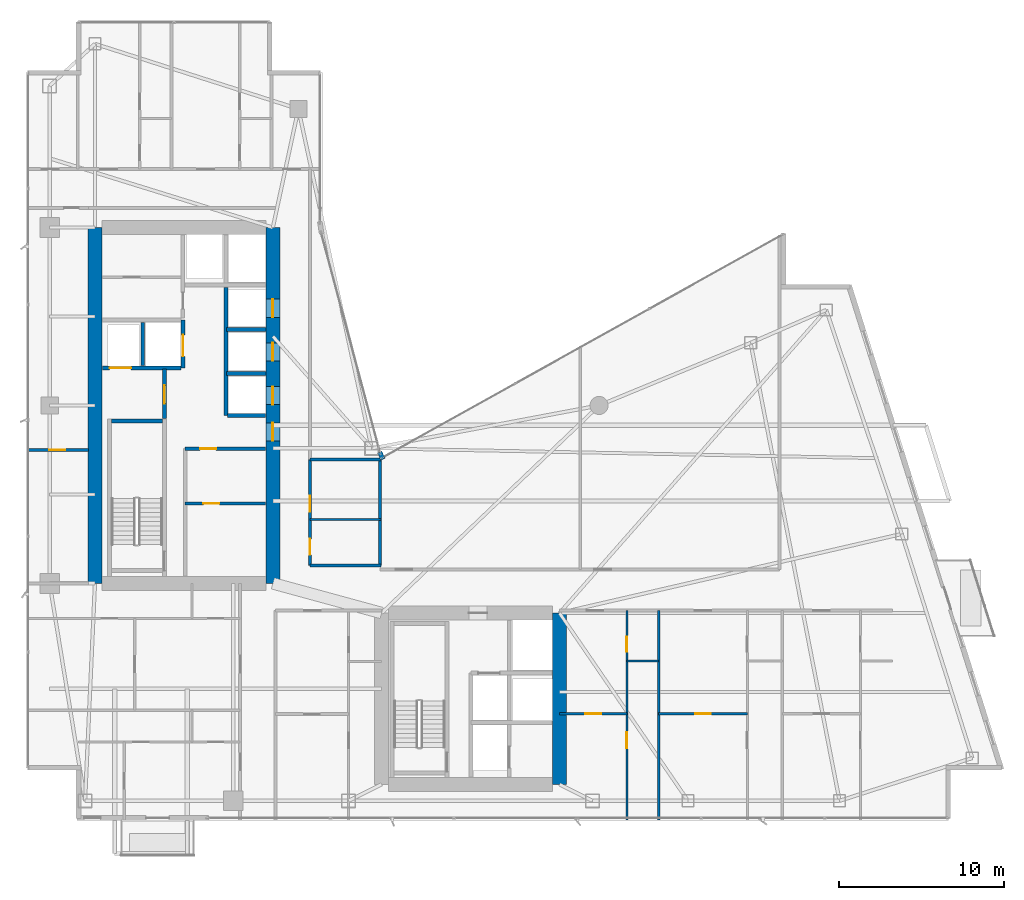
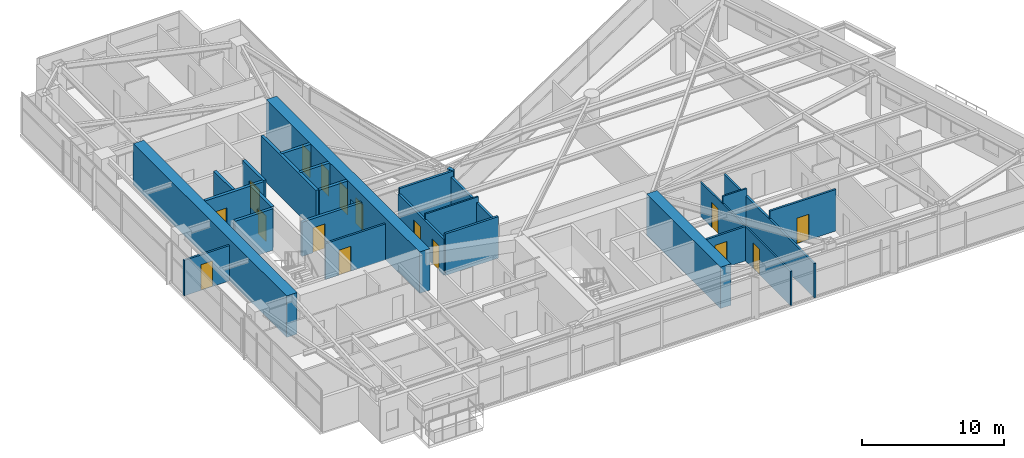
# One storey, part 23 of 28: 26 walls, 16 doors, 16 openings.
"""IFC4 building model written with IfcOpenShell, lengths in metres."""

import ifcopenshell
import ifcopenshell.guid

model = None  # the IFC model being written
_history = None  # IfcOwnerHistory: only IFC2X3 demands one
_inside = {}  # id of a spatial element -> (the spatial element, [elements in it])
_under = {}  # id of a project, library or spatial element -> (it, [spatial elements below it])
_declared = {}  # id of a project -> (the project, [libraries it declares])
_typed = {}  # id of a type object -> (the type object, [elements of that type])
_made_of = {}  # id of a material, layer set ... -> (it, [elements and type objects made of it])


def new_model(schema):
    """Start an empty IFC model of exactly this schema.

    Asked for "IFC4X3", IfcOpenShell would pick the latest addendum, in which some entities
    have other attributes; the version numbers below select the first issue.
    IFC2X3 requires an IfcOwnerHistory on every rooted entity: one is made here for all.
    """
    global model, _history
    if schema == "IFC4X3":
        model = ifcopenshell.file(schema_version=(4, 3, 0, 0))
    else:
        model = ifcopenshell.file(schema=schema)
    _inside.clear()
    _under.clear()
    _declared.clear()
    _typed.clear()
    _made_of.clear()
    _history = None
    if model.schema == "IFC2X3":
        org = make("IfcOrganization", Name="unknown")
        user = make(
            "IfcPersonAndOrganization",
            ThePerson=make("IfcPerson", FamilyName="unknown"),
            TheOrganization=org,
        )
        app = make(
            "IfcApplication",
            ApplicationDeveloper=org,
            Version="unknown",
            ApplicationFullName="unknown",
            ApplicationIdentifier="unknown",
        )
        _history = make(
            "IfcOwnerHistory",
            OwningUser=user,
            OwningApplication=app,
            ChangeAction="ADDED",
            CreationDate=0,
        )
    return model


def make(cls, **values):
    """One entity of the class cls with the attributes given. An attribute that is None is left unset."""
    return model.create_entity(
        cls, **{name: value for name, value in values.items() if value is not None}
    )


def rooted(cls, **values):
    """An entity with a GlobalId (a new one), such as an element, a storey or a relation."""
    return make(cls, GlobalId=ifcopenshell.guid.new(), OwnerHistory=_history, **values)


def si_unit(unit_type, name, prefix=None):
    """IfcSIUnit, for example si_unit("LENGTHUNIT", "METRE", prefix="MILLI")."""
    return make("IfcSIUnit", UnitType=unit_type, Prefix=prefix, Name=name)


def assignment(units):
    """IfcUnitAssignment: the units of a project."""
    return None if units is None else make("IfcUnitAssignment", Units=units)


def point(xyz):
    """IfcCartesianPoint."""
    return None if xyz is None else make("IfcCartesianPoint", Coordinates=xyz)


def direction(xyz):
    """IfcDirection."""
    return None if xyz is None else make("IfcDirection", DirectionRatios=xyz)


def frame(location, z_axis=None, x_axis=None):
    """IfcAxis2Placement3D, a coordinate frame: its origin and axes. An axis left out is left unset."""
    return make(
        "IfcAxis2Placement3D",
        Location=point(location),
        Axis=direction(z_axis),
        RefDirection=direction(x_axis),
    )


def frame_2d(location, x_axis=None):
    """IfcAxis2Placement2D, a coordinate frame in the plane: its origin and x axis."""
    return make(
        "IfcAxis2Placement2D", Location=point(location), RefDirection=direction(x_axis)
    )


def origin():
    """The frame at (0, 0, 0) with its axes left unset."""
    return frame((0.0, 0.0, 0.0))


def place(relative_to, where):
    """IfcLocalPlacement: puts the frame where relative to a parent placement (None: the world)."""
    return make(
        "IfcLocalPlacement", PlacementRelTo=relative_to, RelativePlacement=where
    )


def context(
    kind, dimensions, precision=None, world=None, true_north=None, identifier=None
):
    """IfcGeometricRepresentationContext, for example the 3D "Model" context."""
    return make(
        "IfcGeometricRepresentationContext",
        ContextIdentifier=identifier,
        ContextType=kind,
        CoordinateSpaceDimension=dimensions,
        Precision=precision,
        WorldCoordinateSystem=world,
        TrueNorth=true_north,
    )


def subcontext(parent, identifier, kind, view, scale=None):
    """IfcGeometricRepresentationSubContext, for example "Body" below "Model"."""
    return make(
        "IfcGeometricRepresentationSubContext",
        ContextIdentifier=identifier,
        ContextType=kind,
        ParentContext=parent,
        TargetScale=scale,
        TargetView=view,
    )


def project(units=None, contexts=None):
    """IfcProject with its units and contexts."""
    return rooted(
        "IfcProject",
        Name="project",
        RepresentationContexts=contexts,
        UnitsInContext=assignment(units),
    )


def spatial(cls, under=None, at=None, **own):
    """A site, building, storey or space (cls), placed at a placement, below another one or the project."""
    s = rooted(cls, ObjectPlacement=at, **own)
    if under is not None:
        _under.setdefault(under.id(), (under, []))[1].append(s)
    return s


def profile(cls, at=None, kind="AREA", **sizes):
    """A parametric profile (cls). Its sizes go by their IFC names, for example OverallWidth=200.0."""
    return make(cls, ProfileType=kind, Position=at, **sizes)


def rectangle(**sizes):
    """IfcRectangleProfileDef."""
    return profile("IfcRectangleProfileDef", **sizes)


def extrude(swept, where, along, depth):
    """IfcExtrudedAreaSolid: the profile swept, set in the frame where, extruded along a direction by depth."""
    return make(
        "IfcExtrudedAreaSolid",
        SweptArea=swept,
        Position=where,
        ExtrudedDirection=direction(along),
        Depth=depth,
    )


def shape(context_of_items, identifier, shape_type, items):
    """IfcShapeRepresentation: the items that make up one representation, for example the "Body"."""
    return make(
        "IfcShapeRepresentation",
        ContextOfItems=context_of_items,
        RepresentationIdentifier=identifier,
        RepresentationType=shape_type,
        Items=items,
    )


def material(Name=None, Category=None):
    """IfcMaterial."""
    return make("IfcMaterial", Name=Name, Category=Category)


def layer(
    of_material, thickness, ventilated=None, Name=None, Category=None, Priority=None
):
    """IfcMaterialLayer: one layer of a wall or slab, of a material (None: an air gap)."""
    return make(
        "IfcMaterialLayer",
        Material=of_material,
        LayerThickness=thickness,
        IsVentilated=ventilated,
        Name=Name,
        Category=Category,
        Priority=Priority,
    )


def layer_set(layers, Name=None):
    """IfcMaterialLayerSet."""
    return make("IfcMaterialLayerSet", MaterialLayers=layers, LayerSetName=Name)


def made_of(thing, what):
    """Note that an element or type object is made of a material, layer set ...; save() writes the relation."""
    if what is not None:
        _made_of.setdefault(what.id(), (what, []))[1].append(thing)
    return thing


def type_object(cls, material=None, **own):
    """A type object (cls), such as IfcWallType, which elements share."""
    return made_of(rooted(cls, **own), material)


def element(
    cls,
    number,
    at=None,
    inside=None,
    cuts=None,
    type_object=None,
    material=None,
    context=None,
    identifier="Body",
    shape_type=None,
    held_by="IfcProductDefinitionShape",
    body=None,
    shapes=None,
    **own,
):
    """One element of the class cls, such as IfcWall. Its Tag is "e" and its number.

    at: its placement. inside: the storey or other place that contains it. cuts: it is an
    opening in that element (IfcRelVoidsElement). A single representation is given by context,
    identifier, shape_type and body (its items); several are given by shapes. held_by: the class
    of the entity that holds the representations. save() writes the other relations.
    """
    e = rooted(cls, Tag="e%d" % number, ObjectPlacement=at, **own)
    if body is not None:
        shapes = [shape(context, identifier, shape_type, body)]
    if shapes is not None:
        e.Representation = make(held_by, Representations=shapes)
    if inside is not None:
        _inside.setdefault(inside.id(), (inside, []))[1].append(e)
    if cuts is not None:
        rooted(
            "IfcRelVoidsElement", RelatingBuildingElement=cuts, RelatedOpeningElement=e
        )
    if type_object is not None:
        _typed.setdefault(type_object.id(), (type_object, []))[1].append(e)
    return made_of(e, material)


def fill(opening, filler):
    """IfcRelFillsElement: the door or window that sits in an opening."""
    return rooted(
        "IfcRelFillsElement",
        RelatingOpeningElement=opening,
        RelatedBuildingElement=filler,
    )


def aggregate(whole, parts):
    """IfcRelAggregates: a whole, such as a stair, and the parts it consists of."""
    return rooted("IfcRelAggregates", RelatingObject=whole, RelatedObjects=parts)


def save(model, path):
    """Write the relations noted so far, then the file.

    IfcRelAggregates (storeys below a building ...), IfcRelContainedInSpatialStructure (elements
    in a storey), IfcRelDefinesByType, IfcRelAssociatesMaterial and IfcRelDeclares: one each for
    every whole, place, type object, material and project.
    """
    for whole, parts in _under.values():
        aggregate(whole, parts)
    for where, things in _inside.values():
        rooted(
            "IfcRelContainedInSpatialStructure",
            RelatedElements=things,
            RelatingStructure=where,
        )
    for kind, things in _typed.values():
        rooted("IfcRelDefinesByType", RelatedObjects=things, RelatingType=kind)
    for what, things in _made_of.values():
        rooted("IfcRelAssociatesMaterial", RelatedObjects=things, RelatingMaterial=what)
    for by, libraries in _declared.values():
        rooted("IfcRelDeclares", RelatingContext=by, RelatedDefinitions=libraries)
    model.write(path)


model = new_model("IFC4")

# Units and contexts
model_context = context("Model", 3, precision=1e-05, world=origin(), true_north=direction((0.0, 1.0)))
body_context = subcontext(model_context, "Body", "Model", "MODEL_VIEW")
ifc_project = project(units=[si_unit("LENGTHUNIT", "METRE"), si_unit("AREAUNIT", "SQUARE_METRE"), si_unit("VOLUMEUNIT", "CUBIC_METRE"), si_unit("PLANEANGLEUNIT", "RADIAN"), si_unit("MASSUNIT", "GRAM", prefix="KILO")], contexts=[model_context])

# Site, building, storey
site_placement = place(None, origin())
site = spatial("IfcSite", under=ifc_project, at=site_placement, CompositionType="ELEMENT")
building_placement = place(site_placement, origin())
building = spatial("IfcBuilding", under=site, at=building_placement, Name="Calvorn Quay Hotel", CompositionType="ELEMENT")
storey_placement = place(building_placement, frame((0.0, 0.0, 156.10009765625)))
storey = spatial("IfcBuildingStorey", under=building, at=storey_placement, Name="L38", CompositionType="ELEMENT", Elevation=156.10009765625)

# Wall
ifc_material_1 = material(Name="Concrete C50", Category="concrete")
ifc_layer_1 = layer(ifc_material_1, 0.85009765625)
ifc_layer_set_1 = layer_set([ifc_layer_1], Name="WL-CORE-850")
wall_type_1 = type_object("IfcWallType", Name="WL-CORE-850", PredefinedType="SHEAR", material=ifc_layer_set_1)
wall_1_placement = place(storey_placement, frame((4.199951171875, 16.800048828125, 0.0), z_axis=(0.0, 0.0, 1.0), x_axis=(0.0, 1.0, 0.0)))
element("IfcWall", 1, at=wall_1_placement, inside=storey, type_object=wall_type_1, Name="West Core Shear Wall W (L38)", PredefinedType="SHEAR", context=body_context, shape_type="SweptSolid", body=[
    extrude(rectangle(XDim=21.599853515625, YDim=0.85009765625, at=frame_2d((10.7998046875, 0.0))), origin(), (0.0, 0.0, 1.0), 3.559814453125),
])

# Wall, openings, doors
wall_2_placement = place(storey_placement, frame((15.0, 16.800048828125, 0.0), z_axis=(0.0, 0.0, 1.0), x_axis=(0.0, 1.0, 0.0)))
wall_2 = element("IfcWall", 2, at=wall_2_placement, inside=storey, type_object=wall_type_1, Name="West Core Shear Wall E (L38)", PredefinedType="SHEAR", context=body_context, shape_type="SweptSolid", body=[
    extrude(rectangle(XDim=21.599853515625, YDim=0.85009765625, at=frame_2d((10.7998046875, 0.0))), origin(), (0.0, 0.0, 1.0), 3.559814453125),
])
opening_1_placement = place(wall_2_placement, frame((8.64990234375, 0.0, 0.0)))
opening_1 = element("IfcOpeningElement", 3, at=opening_1_placement, cuts=wall_2, Name="Opening D-L38-CW1", PredefinedType="OPENING", context=body_context, shape_type="SweptSolid", body=[
    extrude(rectangle(XDim=1.10009765625, YDim=2.199951171875, at=frame_2d((0.550048828125, 1.10009765625))), frame((0.0, 0.43505859375, 0.0), z_axis=(0.0, -1.0, 0.0), x_axis=(1.0, 0.0, 0.0)), (0.0, 0.0, 1.0), 0.8701171875),
])
opening_2_placement = place(wall_2_placement, frame((10.85009765625, 0.0, 0.0)))
opening_2 = element("IfcOpeningElement", 4, at=opening_2_placement, cuts=wall_2, Name="Opening LD-L38-M1", PredefinedType="OPENING", context=body_context, shape_type="SweptSolid", body=[
    extrude(rectangle(XDim=1.10009765625, YDim=2.199951171875, at=frame_2d((0.550048828125, 1.10009765625))), frame((0.0, 0.43505859375, 0.0), z_axis=(0.0, -1.0, 0.0), x_axis=(1.0, 0.0, 0.0)), (0.0, 0.0, 1.0), 0.8701171875),
])
opening_3_placement = place(wall_2_placement, frame((13.5, 0.0, 0.0)))
opening_3 = element("IfcOpeningElement", 5, at=opening_3_placement, cuts=wall_2, Name="Opening LD-L38-M2", PredefinedType="OPENING", context=body_context, shape_type="SweptSolid", body=[
    extrude(rectangle(XDim=1.10009765625, YDim=2.199951171875, at=frame_2d((0.550048828125, 1.10009765625))), frame((0.0, 0.43505859375, 0.0), z_axis=(0.0, -1.0, 0.0), x_axis=(1.0, 0.0, 0.0)), (0.0, 0.0, 1.0), 0.8701171875),
])
opening_4_placement = place(wall_2_placement, frame((16.14990234375, 0.0, 0.0)))
opening_4 = element("IfcOpeningElement", 6, at=opening_4_placement, cuts=wall_2, Name="Opening LD-L38-M3", PredefinedType="OPENING", context=body_context, shape_type="SweptSolid", body=[
    extrude(rectangle(XDim=1.10009765625, YDim=2.199951171875, at=frame_2d((0.550048828125, 1.10009765625))), frame((0.0, 0.43505859375, 0.0), z_axis=(0.0, -1.0, 0.0), x_axis=(1.0, 0.0, 0.0)), (0.0, 0.0, 1.0), 0.8701171875),
])
ifc_material_2 = material(Name="Smoke-Sealed Steel Class A Fire Door", Category="steel")
door_type_1 = type_object("IfcDoorType", Name="DR-FFLOBBY-1100", OperationType="NOTDEFINED", PredefinedType="DOOR", material=ifc_material_2)
door_1_placement = place(opening_1_placement, origin())
door_1 = element("IfcDoor", 7, at=door_1_placement, inside=storey, type_object=door_type_1, Name="West Core Vestibule Fire Door (L38)", OperationType="SINGLE_SWING_LEFT", OverallHeight=2.199951171875, OverallWidth=1.10009765625, PredefinedType="DOOR", context=body_context, shape_type="SweptSolid", body=[
    extrude(rectangle(XDim=1.10009765625, YDim=2.199951171875, at=frame_2d((0.550048828125, 1.10009765625))), frame((0.0, 0.02490234375, 0.0), z_axis=(0.0, -1.0, 0.0), x_axis=(1.0, 0.0, 0.0)), (0.0, 0.0, 1.0), 0.050048828125),
])
fill(opening_1, door_1)
ifc_material_3 = material(Name="Brushed Stainless Steel Sliding Lift Landing Door", Category="steel")
door_type_2 = type_object("IfcDoorType", Name="DR-LIFT-PASS-1100", OperationType="NOTDEFINED", PredefinedType="DOOR", material=ifc_material_3)
door_2_placement = place(opening_2_placement, origin())
door_2 = element("IfcDoor", 8, at=door_2_placement, inside=storey, type_object=door_type_2, Name="Mid-Rise Lift PL-M1 Landing Door (L38)", OperationType="DOUBLE_DOOR_SLIDING", OverallHeight=2.199951171875, OverallWidth=1.10009765625, PredefinedType="DOOR", context=body_context, shape_type="SweptSolid", body=[
    extrude(rectangle(XDim=1.10009765625, YDim=2.199951171875, at=frame_2d((0.550048828125, 1.10009765625))), frame((0.0, 0.02490234375, 0.0), z_axis=(0.0, -1.0, 0.0), x_axis=(1.0, 0.0, 0.0)), (0.0, 0.0, 1.0), 0.050048828125),
])
fill(opening_2, door_2)
door_3_placement = place(opening_3_placement, origin())
door_3 = element("IfcDoor", 9, at=door_3_placement, inside=storey, type_object=door_type_2, Name="Mid-Rise Lift PL-M2 Landing Door (L38)", OperationType="DOUBLE_DOOR_SLIDING", OverallHeight=2.199951171875, OverallWidth=1.10009765625, PredefinedType="DOOR", context=body_context, shape_type="SweptSolid", body=[
    extrude(rectangle(XDim=1.10009765625, YDim=2.199951171875, at=frame_2d((0.550048828125, 1.10009765625))), frame((0.0, 0.02490234375, 0.0), z_axis=(0.0, -1.0, 0.0), x_axis=(1.0, 0.0, 0.0)), (0.0, 0.0, 1.0), 0.050048828125),
])
fill(opening_3, door_3)
door_4_placement = place(opening_4_placement, origin())
door_4 = element("IfcDoor", 10, at=door_4_placement, inside=storey, type_object=door_type_2, Name="Mid-Rise Lift PL-M3 Landing Door (L38)", OperationType="DOUBLE_DOOR_SLIDING", OverallHeight=2.199951171875, OverallWidth=1.10009765625, PredefinedType="DOOR", context=body_context, shape_type="SweptSolid", body=[
    extrude(rectangle(XDim=1.10009765625, YDim=2.199951171875, at=frame_2d((0.550048828125, 1.10009765625))), frame((0.0, 0.02490234375, 0.0), z_axis=(0.0, -1.0, 0.0), x_axis=(1.0, 0.0, 0.0)), (0.0, 0.0, 1.0), 0.050048828125),
])
fill(opening_4, door_4)

# Walls
wall_3_placement = place(storey_placement, frame((32.39990234375, 4.60009765625, 0.0), z_axis=(0.0, 0.0, 1.0), x_axis=(0.0, 1.0, 0.0)))
element("IfcWall", 11, at=wall_3_placement, inside=storey, type_object=wall_type_1, Name="East Core Shear Wall E (L38)", PredefinedType="SHEAR", context=body_context, shape_type="SweptSolid", body=[
    extrude(rectangle(XDim=10.39990234375, YDim=0.85009765625, at=frame_2d((5.199951171875, 0.0))), origin(), (0.0, 0.0, 1.0), 3.559814453125),
])
ifc_material_4 = material(Name="Acoustic Fireboard Steel-Stud Partition", Category="steel")
ifc_layer_2 = layer(ifc_material_4, 0.179931640625)
ifc_layer_set_2 = layer_set([ifc_layer_2], Name="WL-CORR-FIRE-180")
wall_type_2 = type_object("IfcWallType", Name="WL-CORR-FIRE-180", PredefinedType="PARTITIONING", material=ifc_layer_set_2)
wall_4_placement = place(storey_placement, frame((17.25, 17.8798828125, 0.0), z_axis=(0.0, 0.0, 1.0), x_axis=(1.0, 0.0, 0.0)))
element("IfcWall", 12, at=wall_4_placement, inside=storey, type_object=wall_type_2, Name="Partition Wall L38-WL-HK-S", PredefinedType="PARTITIONING", context=body_context, shape_type="SweptSolid", body=[
    extrude(rectangle(XDim=4.300048828125, YDim=0.179931640625, at=frame_2d((2.14990234375, 0.0))), origin(), (0.0, 0.0, 1.0), 3.559814453125),
])
wall_5_placement = place(storey_placement, frame((17.25, 24.320068359375, 0.0), z_axis=(0.0, 0.0, 1.0), x_axis=(1.0, 0.0, 0.0)))
element("IfcWall", 13, at=wall_5_placement, inside=storey, type_object=wall_type_2, Name="Partition Wall L38-WL-HK-N", PredefinedType="PARTITIONING", context=body_context, shape_type="SweptSolid", body=[
    extrude(rectangle(XDim=4.35009765625, YDim=0.179931640625, at=frame_2d((2.175048828125, 0.0))), origin(), (0.0, 0.0, 1.0), 3.559814453125),
])
wall_6_placement = place(storey_placement, frame((21.5, 17.8798828125, 0.0), z_axis=(0.0, 0.0, 1.0), x_axis=(0.0, 1.0, 0.0)))
element("IfcWall", 14, at=wall_6_placement, inside=storey, type_object=wall_type_2, Name="Partition Wall L38-WL-HK-E", PredefinedType="PARTITIONING", context=body_context, shape_type="SweptSolid", body=[
    extrude(rectangle(XDim=6.440185546875, YDim=0.179931640625, at=frame_2d((3.22021484375, 0.0))), origin(), (0.0, 0.0, 1.0), 3.08984375),
])

# Wall, openings, doors
wall_7_placement = place(storey_placement, frame((17.25, 17.8798828125, 0.0), z_axis=(0.0, 0.0, 1.0), x_axis=(0.0, 1.0, 0.0)))
wall_7 = element("IfcWall", 15, at=wall_7_placement, inside=storey, type_object=wall_type_2, Name="Partition Wall L38-WL-HK-W", PredefinedType="PARTITIONING", context=body_context, shape_type="SweptSolid", body=[
    extrude(rectangle(XDim=6.440185546875, YDim=0.179931640625, at=frame_2d((3.22021484375, 0.0))), origin(), (0.0, 0.0, 1.0), 3.08984375),
])
opening_5_placement = place(wall_7_placement, frame((0.64990234375, 0.0, 0.0)))
opening_5 = element("IfcOpeningElement", 16, at=opening_5_placement, cuts=wall_7, Name="Opening D-L38-HK", PredefinedType="OPENING", context=body_context, shape_type="SweptSolid", body=[
    extrude(rectangle(XDim=0.97998046875, YDim=2.14990234375, at=frame_2d((0.489990234375, 1.074951171875))), frame((0.0, 0.099853515625, 0.0), z_axis=(0.0, -1.0, 0.0), x_axis=(1.0, 0.0, 0.0)), (0.0, 0.0, 1.0), 0.199951171875),
])
opening_6_placement = place(wall_7_placement, frame((3.27001953125, 0.0, 0.0)))
opening_6 = element("IfcOpeningElement", 17, at=opening_6_placement, cuts=wall_7, Name="Opening D-L38-NCP", PredefinedType="OPENING", context=body_context, shape_type="SweptSolid", body=[
    extrude(rectangle(XDim=0.9599609375, YDim=2.199951171875, at=frame_2d((0.47998046875, 1.10009765625))), frame((0.0, 0.099853515625, 0.0), z_axis=(0.0, -1.0, 0.0), x_axis=(1.0, 0.0, 0.0)), (0.0, 0.0, 1.0), 0.199951171875),
])
ifc_material_5 = material(Name="Painted Steel Housekeeping/Riser Fire Door", Category="steel")
door_type_3 = type_object("IfcDoorType", Name="DR-SERVICE-980", OperationType="NOTDEFINED", PredefinedType="DOOR", material=ifc_material_5)
door_5_placement = place(opening_5_placement, origin())
door_5 = element("IfcDoor", 18, at=door_5_placement, inside=storey, type_object=door_type_3, Name="Floor Housekeeping Door (L38)", OperationType="SINGLE_SWING_LEFT", OverallHeight=2.14990234375, OverallWidth=0.97998046875, PredefinedType="DOOR", context=body_context, shape_type="SweptSolid", body=[
    extrude(rectangle(XDim=0.97998046875, YDim=2.14990234375, at=frame_2d((0.489990234375, 1.074951171875))), frame((0.0, 0.02490234375, 0.0), z_axis=(0.0, -1.0, 0.0), x_axis=(1.0, 0.0, 0.0)), (0.0, 0.0, 1.0), 0.050048828125),
])
fill(opening_5, door_5)
ifc_material_6 = material(Name="Solid Timber Internal Suite Door", Category="wood")
door_type_4 = type_object("IfcDoorType", Name="DR-SUITE-INT-960", OperationType="NOTDEFINED", PredefinedType="DOOR", material=ifc_material_6)
door_6_placement = place(opening_6_placement, origin())
door_6 = element("IfcDoor", 19, at=door_6_placement, inside=storey, type_object=door_type_4, Name="Reading Alcove Door (L38)", OperationType="SINGLE_SWING_RIGHT", OverallHeight=2.199951171875, OverallWidth=0.9599609375, PredefinedType="DOOR", context=body_context, shape_type="SweptSolid", body=[
    extrude(rectangle(XDim=0.9599609375, YDim=2.199951171875, at=frame_2d((0.47998046875, 1.10009765625))), frame((0.0, 0.02490234375, 0.0), z_axis=(0.0, -1.0, 0.0), x_axis=(1.0, 0.0, 0.0)), (0.0, 0.0, 1.0), 0.050048828125),
])
fill(opening_6, door_6)

# Walls
ifc_material_7 = material(Name="Moisture-Resistant Tile-Backed Partition")
ifc_layer_3 = layer(ifc_material_7, 0.125)
ifc_layer_set_3 = layer_set([ifc_layer_3], Name="WL-ENSUITE-125")
wall_type_3 = type_object("IfcWallType", Name="WL-ENSUITE-125", PredefinedType="PARTITIONING", material=ifc_layer_set_3)
wall_8_placement = place(storey_placement, frame((17.25, 20.679931640625, 0.0), z_axis=(0.0, 0.0, 1.0), x_axis=(1.0, 0.0, 0.0)))
element("IfcWall", 20, at=wall_8_placement, inside=storey, type_object=wall_type_3, Name="Partition Wall L38-WL-HK-M", PredefinedType="PARTITIONING", context=body_context, shape_type="SweptSolid", body=[
    extrude(rectangle(XDim=4.300048828125, YDim=0.125, at=frame_2d((2.14990234375, 0.0))), origin(), (0.0, 0.0, 1.0), 3.559814453125),
])
wall_9_placement = place(storey_placement, frame((36.489990234375, 12.10009765625, 0.0), z_axis=(0.0, 0.0, 1.0), x_axis=(1.0, 0.0, 0.0)))
element("IfcWall", 21, at=wall_9_placement, inside=storey, type_object=wall_type_3, Name="Partition Wall L38-WL-U06-BDV", PredefinedType="PARTITIONING", context=body_context, shape_type="SweptSolid", body=[
    extrude(rectangle(XDim=1.929931640625, YDim=0.125, at=frame_2d((0.96484375, 0.0))), origin(), (0.0, 0.0, 1.0), 3.559814453125),
])

# Wall, openings, doors
wall_10_placement = place(storey_placement, frame((36.489990234375, 2.43994140625, 0.0), z_axis=(0.0, 0.0, 1.0), x_axis=(0.0, 1.0, 0.0)))
wall_10 = element("IfcWall", 22, at=wall_10_placement, inside=storey, type_object=wall_type_3, Name="Partition Wall L38-WL-U06-BV", PredefinedType="PARTITIONING", context=body_context, shape_type="SweptSolid", body=[
    extrude(rectangle(XDim=12.7099609375, YDim=0.125, at=frame_2d((6.35498046875, 0.0))), origin(), (0.0, 0.0, 1.0), 2.93994140625),
])
opening_7_placement = place(wall_10_placement, frame((4.35009765625, 0.0, 0.0)))
opening_7 = element("IfcOpeningElement", 23, at=opening_7_placement, cuts=wall_10, Name="Opening D-L38-S06", PredefinedType="OPENING", context=body_context, shape_type="SweptSolid", body=[
    extrude(rectangle(XDim=0.9599609375, YDim=2.199951171875, at=frame_2d((0.47998046875, 1.10009765625))), frame((0.0, 0.072509765625, 0.0), z_axis=(0.0, -1.0, 0.0), x_axis=(1.0, 0.0, 0.0)), (0.0, 0.0, 1.0), 0.14501953125),
])
opening_8_placement = place(wall_10_placement, frame((10.2099609375, 0.0, 0.0)))
opening_8 = element("IfcOpeningElement", 24, at=opening_8_placement, cuts=wall_10, Name="Opening D-L38-E06", PredefinedType="OPENING", context=body_context, shape_type="SweptSolid", body=[
    extrude(rectangle(XDim=0.89990234375, YDim=2.14990234375, at=frame_2d((0.449951171875, 1.074951171875))), frame((0.0, 0.072509765625, 0.0), z_axis=(0.0, -1.0, 0.0), x_axis=(1.0, 0.0, 0.0)), (0.0, 0.0, 1.0), 0.14501953125),
])
ifc_material_8 = material(Name="Moisture-Sealed Timber En-Suite Door", Category="wood")
door_type_5 = type_object("IfcDoorType", Name="DR-ENSUITE-900", OperationType="NOTDEFINED", PredefinedType="DOOR", material=ifc_material_8)
door_7_placement = place(opening_8_placement, origin())
door_7 = element("IfcDoor", 25, at=door_7_placement, inside=storey, type_object=door_type_5, Name="En-Suite Door 06", OperationType="SINGLE_SWING_RIGHT", OverallHeight=2.14990234375, OverallWidth=0.89990234375, PredefinedType="DOOR", context=body_context, shape_type="SweptSolid", body=[
    extrude(rectangle(XDim=0.89990234375, YDim=2.14990234375, at=frame_2d((0.449951171875, 1.074951171875))), frame((0.0, 0.02490234375, 0.0), z_axis=(0.0, -1.0, 0.0), x_axis=(1.0, 0.0, 0.0)), (0.0, 0.0, 1.0), 0.050048828125),
])
fill(opening_8, door_7)
door_8_placement = place(opening_7_placement, origin())
door_8 = element("IfcDoor", 26, at=door_8_placement, inside=storey, type_object=door_type_4, Name="Spa Therapy Room Door 06", OperationType="SINGLE_SWING_LEFT", OverallHeight=2.199951171875, OverallWidth=0.9599609375, PredefinedType="DOOR", context=body_context, shape_type="SweptSolid", body=[
    extrude(rectangle(XDim=0.9599609375, YDim=2.199951171875, at=frame_2d((0.47998046875, 1.10009765625))), frame((0.0, 0.02490234375, 0.0), z_axis=(0.0, -1.0, 0.0), x_axis=(1.0, 0.0, 0.0)), (0.0, 0.0, 1.0), 0.050048828125),
])
fill(opening_7, door_8)

# Wall
ifc_material_9 = material(Name="Concrete C40", Category="concrete")
ifc_layer_4 = layer(ifc_material_9, 0.320068359375)
ifc_layer_set_4 = layer_set([ifc_layer_4], Name="WL-EXT-SPANDREL-320")
wall_type_4 = type_object("IfcWallType", Name="WL-EXT-SPANDREL-320", PredefinedType="SOLIDWALL", material=ifc_layer_set_4)
wall_11_placement = place(storey_placement, frame((21.679931640625, 24.340087890625, 0.0), z_axis=(0.0, 0.0, 1.0), x_axis=(-0.40758134973, 0.913168901875, 0.0)))
element("IfcWall", 27, at=wall_11_placement, inside=storey, type_object=wall_type_4, Name="Inner Court Corner Pier L38-ICJ1", PredefinedType="SOLIDWALL", context=body_context, shape_type="SweptSolid", body=[
    extrude(rectangle(XDim=0.470703125, YDim=0.280029296875, at=frame_2d((0.2353515625, 0.0))), origin(), (0.0, 0.0, 1.0), 3.559814453125),
])

# Wall, opening, door
ifc_material_10 = material(Name="Double-Stud Acoustic Gypsum Partition")
ifc_layer_5 = layer(ifc_material_10, 0.159912109375)
ifc_layer_set_5 = layer_set([ifc_layer_5], Name="WL-INTERSUITE-160")
wall_type_5 = type_object("IfcWallType", Name="WL-INTERSUITE-160", PredefinedType="PARTITIONING", material=ifc_layer_set_5)
wall_12_placement = place(storey_placement, frame((9.679931640625, 21.64990234375, 0.0), z_axis=(0.0, 0.0, 1.0), x_axis=(1.0, 0.0, 0.0)))
wall_12 = element("IfcWall", 28, at=wall_12_placement, inside=storey, type_object=wall_type_5, Name="Partition Wall L38-WL-CWW-FR-SPLIT", PredefinedType="PARTITIONING", context=body_context, shape_type="SweptSolid", body=[
    extrude(rectangle(XDim=4.875, YDim=0.159912109375, at=frame_2d((2.4375, 0.0))), origin(), (0.0, 0.0, 1.0), 3.08984375),
])
opening_9_placement = place(wall_12_placement, frame((1.10009765625, 0.0, 0.0)))
opening_9 = element("IfcOpeningElement", 29, at=opening_9_placement, cuts=wall_12, Name="Opening D-L38-FRL1", PredefinedType="OPENING", context=body_context, shape_type="SweptSolid", body=[
    extrude(rectangle(XDim=0.97998046875, YDim=2.14990234375, at=frame_2d((0.489990234375, 1.074951171875))), frame((0.0, 0.08984375, 0.0), z_axis=(0.0, -1.0, 0.0), x_axis=(1.0, 0.0, 0.0)), (0.0, 0.0, 1.0), 0.179931640625),
])
door_9_placement = place(opening_9_placement, origin())
door_9 = element("IfcDoor", 30, at=door_9_placement, inside=storey, type_object=door_type_3, Name="Linen Store Room Door (L38)", OperationType="SINGLE_SWING_LEFT", OverallHeight=2.14990234375, OverallWidth=0.97998046875, PredefinedType="DOOR", context=body_context, shape_type="SweptSolid", body=[
    extrude(rectangle(XDim=0.97998046875, YDim=2.14990234375, at=frame_2d((0.489990234375, 1.074951171875))), frame((0.0, 0.02490234375, 0.0), z_axis=(0.0, -1.0, 0.0), x_axis=(1.0, 0.0, 0.0)), (0.0, 0.0, 1.0), 0.050048828125),
])
fill(opening_9, door_9)

wall_13_placement = place(storey_placement, frame((0.080078125, 24.89990234375, 0.0), z_axis=(0.0, 0.0, 1.0), x_axis=(1.0, 0.0, 0.0)))
wall_13 = element("IfcWall", 31, at=wall_13_placement, inside=storey, type_object=wall_type_5, Name="Partition Wall L38-WL-WBAY-DIV", PredefinedType="PARTITIONING", context=body_context, shape_type="SweptSolid", body=[
    extrude(rectangle(XDim=3.724853515625, YDim=0.159912109375, at=frame_2d((1.8623046875, 0.0))), origin(), (0.0, 0.0, 1.0), 3.039794921875),
])
opening_10_placement = place(wall_13_placement, frame((1.35009765625, 0.0, 0.0)))
opening_10 = element("IfcOpeningElement", 32, at=opening_10_placement, cuts=wall_13, Name="Opening D-L38-WBD", PredefinedType="OPENING", context=body_context, shape_type="SweptSolid", body=[
    extrude(rectangle(XDim=0.9599609375, YDim=2.199951171875, at=frame_2d((0.47998046875, 1.10009765625))), frame((0.0, 0.08984375, 0.0), z_axis=(0.0, -1.0, 0.0), x_axis=(1.0, 0.0, 0.0)), (0.0, 0.0, 1.0), 0.179931640625),
])
door_10_placement = place(opening_10_placement, origin())
door_10 = element("IfcDoor", 33, at=door_10_placement, inside=storey, type_object=door_type_4, Name="West Bay Connecting Door (L38)", OperationType="SINGLE_SWING_LEFT", OverallHeight=2.199951171875, OverallWidth=0.9599609375, PredefinedType="DOOR", context=body_context, shape_type="SweptSolid", body=[
    extrude(rectangle(XDim=0.9599609375, YDim=2.199951171875, at=frame_2d((0.47998046875, 1.10009765625))), frame((0.0, 0.02490234375, 0.0), z_axis=(0.0, -1.0, 0.0), x_axis=(1.0, 0.0, 0.0)), (0.0, 0.0, 1.0), 0.050048828125),
])
fill(opening_10, door_10)

wall_14_placement = place(storey_placement, frame((32.39990234375, 8.8798828125, 0.0), z_axis=(0.0, 0.0, 1.0), x_axis=(1.0, 0.0, 0.0)))
wall_14 = element("IfcWall", 34, at=wall_14_placement, inside=storey, type_object=wall_type_5, Name="Partition Wall L38-WL-U06-MSP", PredefinedType="PARTITIONING", context=body_context, shape_type="SweptSolid", body=[
    extrude(rectangle(XDim=4.090087890625, YDim=0.159912109375, at=frame_2d((2.044921875, 0.0))), origin(), (0.0, 0.0, 1.0), 2.93994140625),
])
opening_11_placement = place(wall_14_placement, frame((1.570068359375, 0.0, 0.0)))
opening_11 = element("IfcOpeningElement", 35, at=opening_11_placement, cuts=wall_14, Name="Opening D-L38-M06", PredefinedType="OPENING", context=body_context, shape_type="SweptSolid", body=[
    extrude(rectangle(XDim=0.9599609375, YDim=2.199951171875, at=frame_2d((0.47998046875, 1.10009765625))), frame((0.0, 0.08984375, 0.0), z_axis=(0.0, -1.0, 0.0), x_axis=(1.0, 0.0, 0.0)), (0.0, 0.0, 1.0), 0.179931640625),
])
door_11_placement = place(opening_11_placement, origin())
door_11 = element("IfcDoor", 36, at=door_11_placement, inside=storey, type_object=door_type_4, Name="Suite Bedroom Door 06", OperationType="SINGLE_SWING_LEFT", OverallHeight=2.199951171875, OverallWidth=0.9599609375, PredefinedType="DOOR", context=body_context, shape_type="SweptSolid", body=[
    extrude(rectangle(XDim=0.9599609375, YDim=2.199951171875, at=frame_2d((0.47998046875, 1.10009765625))), frame((0.0, 0.02490234375, 0.0), z_axis=(0.0, -1.0, 0.0), x_axis=(1.0, 0.0, 0.0)), (0.0, 0.0, 1.0), 0.050048828125),
])
fill(opening_11, door_11)

wall_15_placement = place(storey_placement, frame((38.419921875, 8.8798828125, 0.0), z_axis=(0.0, 0.0, 1.0), x_axis=(1.0, 0.0, 0.0)))
wall_15 = element("IfcWall", 37, at=wall_15_placement, inside=storey, type_object=wall_type_5, Name="Partition Wall L38-WL-U07-MSP", PredefinedType="PARTITIONING", context=body_context, shape_type="SweptSolid", body=[
    extrude(rectangle(XDim=5.380126953125, YDim=0.159912109375, at=frame_2d((2.68994140625, 0.0))), origin(), (0.0, 0.0, 1.0), 3.559814453125),
])
opening_12_placement = place(wall_15_placement, frame((2.2099609375, 0.0, 0.0)))
opening_12 = element("IfcOpeningElement", 38, at=opening_12_placement, cuts=wall_15, Name="Opening D-L38-M07", PredefinedType="OPENING", context=body_context, shape_type="SweptSolid", body=[
    extrude(rectangle(XDim=0.9599609375, YDim=2.199951171875, at=frame_2d((0.47998046875, 1.10009765625))), frame((0.0, 0.08984375, 0.0), z_axis=(0.0, -1.0, 0.0), x_axis=(1.0, 0.0, 0.0)), (0.0, 0.0, 1.0), 0.179931640625),
])
door_12_placement = place(opening_12_placement, origin())
door_12 = element("IfcDoor", 39, at=door_12_placement, inside=storey, type_object=door_type_4, Name="Suite Bedroom Door 07", OperationType="SINGLE_SWING_LEFT", OverallHeight=2.199951171875, OverallWidth=0.9599609375, PredefinedType="DOOR", context=body_context, shape_type="SweptSolid", body=[
    extrude(rectangle(XDim=0.9599609375, YDim=2.199951171875, at=frame_2d((0.47998046875, 1.10009765625))), frame((0.0, 0.02490234375, 0.0), z_axis=(0.0, -1.0, 0.0), x_axis=(1.0, 0.0, 0.0)), (0.0, 0.0, 1.0), 0.050048828125),
])
fill(opening_12, door_12)

# Wall
wall_16_placement = place(storey_placement, frame((38.419921875, 2.43994140625, 0.0), z_axis=(0.0, 0.0, 1.0), x_axis=(0.0, 1.0, 0.0)))
element("IfcWall", 40, at=wall_16_placement, inside=storey, type_object=wall_type_5, Name="Partition Wall L38-WL-SE-DIV-1", PredefinedType="PARTITIONING", context=body_context, shape_type="SweptSolid", body=[
    extrude(rectangle(XDim=12.7099609375, YDim=0.159912109375, at=frame_2d((6.35498046875, 0.0))), origin(), (0.0, 0.0, 1.0), 2.93994140625),
])

# Wall, opening, door
ifc_material_11 = material(Name="Autoclaved Aerated Masonry Block", Category="masonry")
ifc_layer_6 = layer(ifc_material_11, 0.219970703125)
ifc_layer_set_6 = layer_set([ifc_layer_6], Name="WL-LOBBY-FIRE-220")
wall_type_6 = type_object("IfcWallType", Name="WL-LOBBY-FIRE-220", PredefinedType="SOLIDWALL", material=ifc_layer_set_6)
wall_17_placement = place(storey_placement, frame((9.679931640625, 24.969970703125, 0.0), z_axis=(0.0, 0.0, 1.0), x_axis=(1.0, 0.0, 0.0)))
wall_17 = element("IfcWall", 41, at=wall_17_placement, inside=storey, type_object=wall_type_6, Name="Partition Wall L38-WL-CWW-FR-N", PredefinedType="SOLIDWALL", context=body_context, shape_type="SweptSolid", body=[
    extrude(rectangle(XDim=4.875, YDim=0.219970703125, at=frame_2d((2.4375, 0.0))), origin(), (0.0, 0.0, 1.0), 2.93994140625),
])
opening_13_placement = place(wall_17_placement, frame((0.89990234375, 0.0, 0.0)))
opening_13 = element("IfcOpeningElement", 42, at=opening_13_placement, cuts=wall_17, Name="Opening D-L38-FRL2", PredefinedType="OPENING", context=body_context, shape_type="SweptSolid", body=[
    extrude(rectangle(XDim=0.97998046875, YDim=2.14990234375, at=frame_2d((0.489990234375, 1.074951171875))), frame((0.0, 0.119873046875, 0.0), z_axis=(0.0, -1.0, 0.0), x_axis=(1.0, 0.0, 0.0)), (0.0, 0.0, 1.0), 0.239990234375),
])
door_13_placement = place(opening_13_placement, origin())
door_13 = element("IfcDoor", 43, at=door_13_placement, inside=storey, type_object=door_type_3, Name="Beverage Pantry Door (L38)", OperationType="SINGLE_SWING_RIGHT", OverallHeight=2.14990234375, OverallWidth=0.97998046875, PredefinedType="DOOR", context=body_context, shape_type="SweptSolid", body=[
    extrude(rectangle(XDim=0.97998046875, YDim=2.14990234375, at=frame_2d((0.489990234375, 1.074951171875))), frame((0.0, 0.02490234375, 0.0), z_axis=(0.0, -1.0, 0.0), x_axis=(1.0, 0.0, 0.0)), (0.0, 0.0, 1.0), 0.050048828125),
])
fill(opening_13, door_13)

# Walls
ifc_material_12 = material(Name="Concrete C40", Category="concrete")
ifc_layer_7 = layer(ifc_material_12, 0.239990234375)
ifc_layer_set_7 = layer_set([ifc_layer_7], Name="WL-SHAFT-240")
wall_type_7 = type_object("IfcWallType", Name="WL-SHAFT-240", PredefinedType="SOLIDWALL", material=ifc_layer_set_7)
wall_18_placement = place(storey_placement, frame((5.199951171875, 26.669921875, 0.0), z_axis=(0.0, 0.0, 1.0), x_axis=(1.0, 0.0, 0.0)))
element("IfcWall", 44, at=wall_18_placement, inside=storey, type_object=wall_type_7, Name="Stair STW Shaft Wall N (L38)", PredefinedType="SOLIDWALL", context=body_context, shape_type="SweptSolid", body=[
    extrude(rectangle(XDim=3.10009765625, YDim=0.239990234375, at=frame_2d((1.550048828125, 0.0))), origin(), (0.0, 0.0, 1.0), 3.559814453125),
])
for number, where, z_axis, x_axis, name in (
    (45, (12.179931640625, 29.550048828125, 0.0), (0.0, 0.0, 1.0), (1.0, 0.0, 0.0), "Lift Hoistway Divider Wall PLM12 (L38)"),
    (46, (12.179931640625, 32.199951171875, 0.0), (0.0, 0.0, 1.0), (1.0, 0.0, 0.0), "Lift Hoistway Divider Wall PLM23 (L38)"),
):
    element("IfcWall", number, at=place(storey_placement, frame(where, z_axis=z_axis, x_axis=x_axis)), inside=storey, type_object=wall_type_7, Name=name, PredefinedType="SOLIDWALL", context=body_context, shape_type="SweptSolid", body=[
        extrude(rectangle(XDim=2.39501953125, YDim=0.239990234375, at=frame_2d((1.197509765625, 0.0))), origin(), (0.0, 0.0, 1.0), 3.559814453125),
    ])

# Wall, opening, door
wall_19_placement = place(storey_placement, frame((8.419921875, 26.820068359375, 0.0), z_axis=(0.0, 0.0, 1.0), x_axis=(0.0, 1.0, 0.0)))
wall_19 = element("IfcWall", 47, at=wall_19_placement, inside=storey, type_object=wall_type_7, Name="Partition Wall L38-WL-CWW-FFL-E", PredefinedType="SOLIDWALL", context=body_context, shape_type="SweptSolid", body=[
    extrude(rectangle(XDim=3.0, YDim=0.239990234375, at=frame_2d((1.5, 0.0))), origin(), (0.0, 0.0, 1.0), 3.559814453125),
])
opening_14_placement = place(wall_19_placement, frame((0.89990234375, 0.0, 0.0)))
opening_14 = element("IfcOpeningElement", 48, at=opening_14_placement, cuts=wall_19, Name="Opening D-L38-FLW", PredefinedType="OPENING", context=body_context, shape_type="SweptSolid", body=[
    extrude(rectangle(XDim=1.10009765625, YDim=2.199951171875, at=frame_2d((0.550048828125, 1.10009765625))), frame((0.0, 0.1298828125, 0.0), z_axis=(0.0, -1.0, 0.0), x_axis=(1.0, 0.0, 0.0)), (0.0, 0.0, 1.0), 0.260009765625),
])
door_14_placement = place(opening_14_placement, origin())
door_14 = element("IfcDoor", 49, at=door_14_placement, inside=storey, type_object=door_type_1, Name="West Firefighting Lobby Fire Door (L38)", OperationType="SINGLE_SWING_RIGHT", OverallHeight=2.199951171875, OverallWidth=1.10009765625, PredefinedType="DOOR", context=body_context, shape_type="SweptSolid", body=[
    extrude(rectangle(XDim=1.10009765625, YDim=2.199951171875, at=frame_2d((0.550048828125, 1.10009765625))), frame((0.0, 0.02490234375, 0.0), z_axis=(0.0, -1.0, 0.0), x_axis=(1.0, 0.0, 0.0)), (0.0, 0.0, 1.0), 0.050048828125),
])
fill(opening_14, door_14)

wall_20_placement = place(storey_placement, frame((4.64501953125, 29.8798828125, 0.0), z_axis=(0.0, 0.0, 1.0), x_axis=(1.0, 0.0, 0.0)))
wall_20 = element("IfcWall", 50, at=wall_20_placement, inside=storey, type_object=wall_type_7, Name="Partition Wall L38-WL-CWW-FLW-S", PredefinedType="SOLIDWALL", context=body_context, shape_type="SweptSolid", body=[
    extrude(rectangle(XDim=4.77490234375, YDim=0.239990234375, at=frame_2d((2.387451171875, 0.0))), origin(), (0.0, 0.0, 1.0), 3.559814453125),
])
opening_15_placement = place(wall_20_placement, frame((0.449951171875, 0.0, 0.0)))
opening_15 = element("IfcOpeningElement", 51, at=opening_15_placement, cuts=wall_20, Name="Opening LD-L38-FLW1", PredefinedType="OPENING", context=body_context, shape_type="SweptSolid", body=[
    extrude(rectangle(XDim=1.300048828125, YDim=2.35009765625, at=frame_2d((0.64990234375, 1.175048828125))), frame((0.0, 0.1298828125, 0.0), z_axis=(0.0, -1.0, 0.0), x_axis=(1.0, 0.0, 0.0)), (0.0, 0.0, 1.0), 0.260009765625),
])
ifc_material_13 = material(Name="Champagne-Bronze Sliding Express Lift Landing Door")
door_type_6 = type_object("IfcDoorType", Name="DR-LIFT-SHUTTLE-1300", OperationType="NOTDEFINED", PredefinedType="DOOR", material=ifc_material_13)
door_15_placement = place(opening_15_placement, origin())
door_15 = element("IfcDoor", 52, at=door_15_placement, inside=storey, type_object=door_type_6, Name="Firefighting Lift FL-W1 Landing Door (L38)", OperationType="DOUBLE_DOOR_SLIDING", OverallHeight=2.35009765625, OverallWidth=1.300048828125, PredefinedType="DOOR", context=body_context, shape_type="SweptSolid", body=[
    extrude(rectangle(XDim=1.300048828125, YDim=2.35009765625, at=frame_2d((0.64990234375, 1.175048828125))), frame((0.0, 0.02490234375, 0.0), z_axis=(0.0, -1.0, 0.0), x_axis=(1.0, 0.0, 0.0)), (0.0, 0.0, 1.0), 0.050048828125),
])
fill(opening_15, door_15)

# Wall
wall_21_placement = place(storey_placement, frame((7.10009765625, 30.02001953125, 0.0), z_axis=(0.0, 0.0, 1.0), x_axis=(0.0, 1.0, 0.0)))
element("IfcWall", 53, at=wall_21_placement, inside=storey, type_object=wall_type_7, Name="Partition Wall L38-WL-CWW-FLW-DIV", PredefinedType="SOLIDWALL", context=body_context, shape_type="SweptSolid", body=[
    extrude(rectangle(XDim=2.6298828125, YDim=0.239990234375, at=frame_2d((1.31494140625, 0.0))), origin(), (0.0, 0.0, 1.0), 3.559814453125),
])

# Wall, opening, door
wall_22_placement = place(storey_placement, frame((9.5400390625, 29.8798828125, 0.0), z_axis=(0.0, 0.0, 1.0), x_axis=(0.0, 1.0, 0.0)))
wall_22 = element("IfcWall", 54, at=wall_22_placement, inside=storey, type_object=wall_type_7, Name="Partition Wall L38-WL-CWW-SLW-E", PredefinedType="SOLIDWALL", context=body_context, shape_type="SweptSolid", body=[
    extrude(rectangle(XDim=2.900146484375, YDim=0.239990234375, at=frame_2d((1.4501953125, 0.0))), origin(), (0.0, 0.0, 1.0), 3.559814453125),
])
opening_16_placement = place(wall_22_placement, frame((0.699951171875, 0.0, 0.0)))
opening_16 = element("IfcOpeningElement", 55, at=opening_16_placement, cuts=wall_22, Name="Opening LD-L38-SLW1", PredefinedType="OPENING", context=body_context, shape_type="SweptSolid", body=[
    extrude(rectangle(XDim=1.300048828125, YDim=2.35009765625, at=frame_2d((0.64990234375, 1.175048828125))), frame((0.0, 0.1298828125, 0.0), z_axis=(0.0, -1.0, 0.0), x_axis=(1.0, 0.0, 0.0)), (0.0, 0.0, 1.0), 0.260009765625),
])
door_16_placement = place(opening_16_placement, origin())
door_16 = element("IfcDoor", 56, at=door_16_placement, inside=storey, type_object=door_type_6, Name="Service Lift SL-W1 Landing Door (L38)", OperationType="DOUBLE_DOOR_SLIDING", OverallHeight=2.35009765625, OverallWidth=1.300048828125, PredefinedType="DOOR", context=body_context, shape_type="SweptSolid", body=[
    extrude(rectangle(XDim=1.300048828125, YDim=2.35009765625, at=frame_2d((0.64990234375, 1.175048828125))), frame((0.0, 0.02490234375, 0.0), z_axis=(0.0, -1.0, 0.0), x_axis=(1.0, 0.0, 0.0)), (0.0, 0.0, 1.0), 0.050048828125),
])
fill(opening_16, door_16)

# Walls
wall_23_placement = place(storey_placement, frame((12.25, 27.0, 0.0), z_axis=(0.0, 0.0, 1.0), x_axis=(1.0, 0.0, 0.0)))
element("IfcWall", 57, at=wall_23_placement, inside=storey, type_object=wall_type_7, Name="Partition Wall L38-WL-CWW-PLM-S", PredefinedType="SOLIDWALL", context=body_context, shape_type="SweptSolid", body=[
    extrude(rectangle(XDim=2.304931640625, YDim=0.239990234375, at=frame_2d((1.15234375, 0.0))), origin(), (0.0, 0.0, 1.0), 3.559814453125),
])
wall_24_placement = place(storey_placement, frame((12.14990234375, 27.0, 0.0), z_axis=(0.0, 0.0, 1.0), x_axis=(0.0, 1.0, 0.0)))
element("IfcWall", 58, at=wall_24_placement, inside=storey, type_object=wall_type_7, Name="Partition Wall L38-WL-CWW-PLM-W", PredefinedType="SOLIDWALL", context=body_context, shape_type="SweptSolid", body=[
    extrude(rectangle(XDim=7.75, YDim=0.239990234375, at=frame_2d((3.875, 0.0))), origin(), (0.0, 0.0, 1.0), 3.559814453125),
])

save(model, "model.ifc")
